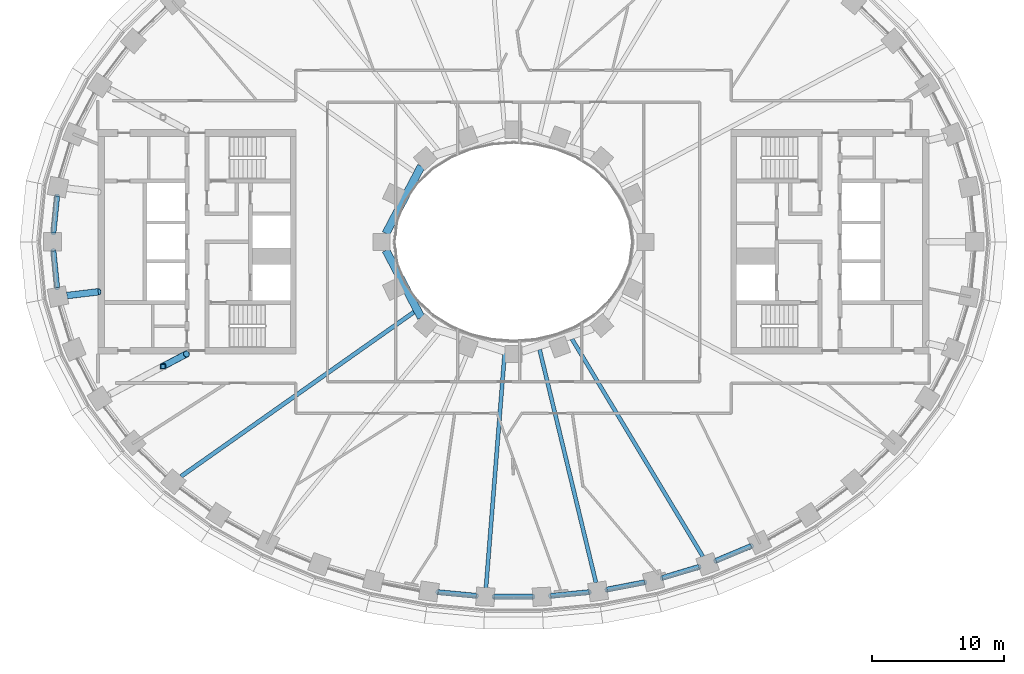
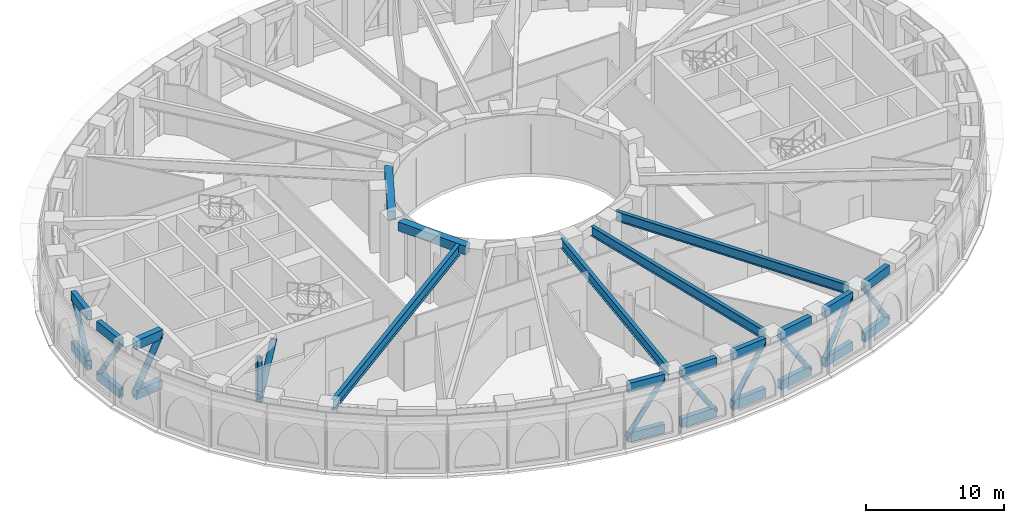
# One storey, part 2 of 25: 24 beams, 11 members.
"""IFC4 building model written with IfcOpenShell, lengths in metres."""

import ifcopenshell
import ifcopenshell.guid

model = None  # the IFC model being written
_history = None  # IfcOwnerHistory: only IFC2X3 demands one
_inside = {}  # id of a spatial element -> (the spatial element, [elements in it])
_under = {}  # id of a project, library or spatial element -> (it, [spatial elements below it])
_declared = {}  # id of a project -> (the project, [libraries it declares])
_typed = {}  # id of a type object -> (the type object, [elements of that type])
_made_of = {}  # id of a material, layer set ... -> (it, [elements and type objects made of it])


def new_model(schema):
    """Start an empty IFC model of exactly this schema.

    Asked for "IFC4X3", IfcOpenShell would pick the latest addendum, in which some entities
    have other attributes; the version numbers below select the first issue.
    IFC2X3 requires an IfcOwnerHistory on every rooted entity: one is made here for all.
    """
    global model, _history
    if schema == "IFC4X3":
        model = ifcopenshell.file(schema_version=(4, 3, 0, 0))
    else:
        model = ifcopenshell.file(schema=schema)
    _inside.clear()
    _under.clear()
    _declared.clear()
    _typed.clear()
    _made_of.clear()
    _history = None
    if model.schema == "IFC2X3":
        org = make("IfcOrganization", Name="unknown")
        user = make(
            "IfcPersonAndOrganization",
            ThePerson=make("IfcPerson", FamilyName="unknown"),
            TheOrganization=org,
        )
        app = make(
            "IfcApplication",
            ApplicationDeveloper=org,
            Version="unknown",
            ApplicationFullName="unknown",
            ApplicationIdentifier="unknown",
        )
        _history = make(
            "IfcOwnerHistory",
            OwningUser=user,
            OwningApplication=app,
            ChangeAction="ADDED",
            CreationDate=0,
        )
    return model


def make(cls, **values):
    """One entity of the class cls with the attributes given. An attribute that is None is left unset."""
    return model.create_entity(
        cls, **{name: value for name, value in values.items() if value is not None}
    )


def rooted(cls, **values):
    """An entity with a GlobalId (a new one), such as an element, a storey or a relation."""
    return make(cls, GlobalId=ifcopenshell.guid.new(), OwnerHistory=_history, **values)


def si_unit(unit_type, name, prefix=None):
    """IfcSIUnit, for example si_unit("LENGTHUNIT", "METRE", prefix="MILLI")."""
    return make("IfcSIUnit", UnitType=unit_type, Prefix=prefix, Name=name)


def assignment(units):
    """IfcUnitAssignment: the units of a project."""
    return None if units is None else make("IfcUnitAssignment", Units=units)


def point(xyz):
    """IfcCartesianPoint."""
    return None if xyz is None else make("IfcCartesianPoint", Coordinates=xyz)


def direction(xyz):
    """IfcDirection."""
    return None if xyz is None else make("IfcDirection", DirectionRatios=xyz)


def frame(location, z_axis=None, x_axis=None):
    """IfcAxis2Placement3D, a coordinate frame: its origin and axes. An axis left out is left unset."""
    return make(
        "IfcAxis2Placement3D",
        Location=point(location),
        Axis=direction(z_axis),
        RefDirection=direction(x_axis),
    )


def frame_2d(location, x_axis=None):
    """IfcAxis2Placement2D, a coordinate frame in the plane: its origin and x axis."""
    return make(
        "IfcAxis2Placement2D", Location=point(location), RefDirection=direction(x_axis)
    )


def origin():
    """The frame at (0, 0, 0) with its axes left unset."""
    return frame((0.0, 0.0, 0.0))


def origin_2d():
    """The frame at (0, 0) in the plane with its x axis left unset."""
    return frame_2d((0.0, 0.0))


def place(relative_to, where):
    """IfcLocalPlacement: puts the frame where relative to a parent placement (None: the world)."""
    return make(
        "IfcLocalPlacement", PlacementRelTo=relative_to, RelativePlacement=where
    )


def context(
    kind, dimensions, precision=None, world=None, true_north=None, identifier=None
):
    """IfcGeometricRepresentationContext, for example the 3D "Model" context."""
    return make(
        "IfcGeometricRepresentationContext",
        ContextIdentifier=identifier,
        ContextType=kind,
        CoordinateSpaceDimension=dimensions,
        Precision=precision,
        WorldCoordinateSystem=world,
        TrueNorth=true_north,
    )


def subcontext(parent, identifier, kind, view, scale=None):
    """IfcGeometricRepresentationSubContext, for example "Body" below "Model"."""
    return make(
        "IfcGeometricRepresentationSubContext",
        ContextIdentifier=identifier,
        ContextType=kind,
        ParentContext=parent,
        TargetScale=scale,
        TargetView=view,
    )


def project(units=None, contexts=None):
    """IfcProject with its units and contexts."""
    return rooted(
        "IfcProject",
        Name="project",
        RepresentationContexts=contexts,
        UnitsInContext=assignment(units),
    )


def spatial(cls, under=None, at=None, **own):
    """A site, building, storey or space (cls), placed at a placement, below another one or the project."""
    s = rooted(cls, ObjectPlacement=at, **own)
    if under is not None:
        _under.setdefault(under.id(), (under, []))[1].append(s)
    return s


def profile(cls, at=None, kind="AREA", **sizes):
    """A parametric profile (cls). Its sizes go by their IFC names, for example OverallWidth=200.0."""
    return make(cls, ProfileType=kind, Position=at, **sizes)


def rectangle(**sizes):
    """IfcRectangleProfileDef."""
    return profile("IfcRectangleProfileDef", **sizes)


def hollow_rectangle(**sizes):
    """IfcRectangleHollowProfileDef."""
    return profile("IfcRectangleHollowProfileDef", **sizes)


def hollow_circle(**sizes):
    """IfcCircleHollowProfileDef."""
    return profile("IfcCircleHollowProfileDef", **sizes)


def i_section(**sizes):
    """IfcIShapeProfileDef."""
    return profile("IfcIShapeProfileDef", **sizes)


def extrude(swept, where, along, depth):
    """IfcExtrudedAreaSolid: the profile swept, set in the frame where, extruded along a direction by depth."""
    return make(
        "IfcExtrudedAreaSolid",
        SweptArea=swept,
        Position=where,
        ExtrudedDirection=direction(along),
        Depth=depth,
    )


def shape(context_of_items, identifier, shape_type, items):
    """IfcShapeRepresentation: the items that make up one representation, for example the "Body"."""
    return make(
        "IfcShapeRepresentation",
        ContextOfItems=context_of_items,
        RepresentationIdentifier=identifier,
        RepresentationType=shape_type,
        Items=items,
    )


def material(Name=None, Category=None):
    """IfcMaterial."""
    return make("IfcMaterial", Name=Name, Category=Category)


def material_profile(
    of_material, cross_section, Name=None, Category=None, Priority=None
):
    """IfcMaterialProfile: a cross section and its material."""
    return make(
        "IfcMaterialProfile",
        Name=Name,
        Material=of_material,
        Profile=cross_section,
        Priority=Priority,
        Category=Category,
    )


def profile_set(profiles, Name=None, composite=None):
    """IfcMaterialProfileSet."""
    return make(
        "IfcMaterialProfileSet",
        Name=Name,
        MaterialProfiles=profiles,
        CompositeProfile=composite,
    )


def made_of(thing, what):
    """Note that an element or type object is made of a material, layer set ...; save() writes the relation."""
    if what is not None:
        _made_of.setdefault(what.id(), (what, []))[1].append(thing)
    return thing


def type_object(cls, material=None, **own):
    """A type object (cls), such as IfcWallType, which elements share."""
    return made_of(rooted(cls, **own), material)


def element(
    cls,
    number,
    at=None,
    inside=None,
    cuts=None,
    type_object=None,
    material=None,
    context=None,
    identifier="Body",
    shape_type=None,
    held_by="IfcProductDefinitionShape",
    body=None,
    shapes=None,
    **own,
):
    """One element of the class cls, such as IfcWall. Its Tag is "e" and its number.

    at: its placement. inside: the storey or other place that contains it. cuts: it is an
    opening in that element (IfcRelVoidsElement). A single representation is given by context,
    identifier, shape_type and body (its items); several are given by shapes. held_by: the class
    of the entity that holds the representations. save() writes the other relations.
    """
    e = rooted(cls, Tag="e%d" % number, ObjectPlacement=at, **own)
    if body is not None:
        shapes = [shape(context, identifier, shape_type, body)]
    if shapes is not None:
        e.Representation = make(held_by, Representations=shapes)
    if inside is not None:
        _inside.setdefault(inside.id(), (inside, []))[1].append(e)
    if cuts is not None:
        rooted(
            "IfcRelVoidsElement", RelatingBuildingElement=cuts, RelatedOpeningElement=e
        )
    if type_object is not None:
        _typed.setdefault(type_object.id(), (type_object, []))[1].append(e)
    return made_of(e, material)


def aggregate(whole, parts):
    """IfcRelAggregates: a whole, such as a stair, and the parts it consists of."""
    return rooted("IfcRelAggregates", RelatingObject=whole, RelatedObjects=parts)


def save(model, path):
    """Write the relations noted so far, then the file.

    IfcRelAggregates (storeys below a building ...), IfcRelContainedInSpatialStructure (elements
    in a storey), IfcRelDefinesByType, IfcRelAssociatesMaterial and IfcRelDeclares: one each for
    every whole, place, type object, material and project.
    """
    for whole, parts in _under.values():
        aggregate(whole, parts)
    for where, things in _inside.values():
        rooted(
            "IfcRelContainedInSpatialStructure",
            RelatedElements=things,
            RelatingStructure=where,
        )
    for kind, things in _typed.values():
        rooted("IfcRelDefinesByType", RelatedObjects=things, RelatingType=kind)
    for what, things in _made_of.values():
        rooted("IfcRelAssociatesMaterial", RelatedObjects=things, RelatingMaterial=what)
    for by, libraries in _declared.values():
        rooted("IfcRelDeclares", RelatingContext=by, RelatedDefinitions=libraries)
    model.write(path)


model = new_model("IFC4")

# Units and contexts
model_context = context("Model", 3, precision=1e-05, world=origin(), true_north=direction((0.0, 1.0)))
body_context = subcontext(model_context, "Body", "Model", "MODEL_VIEW")
ifc_project = project(units=[si_unit("LENGTHUNIT", "METRE"), si_unit("AREAUNIT", "SQUARE_METRE"), si_unit("VOLUMEUNIT", "CUBIC_METRE"), si_unit("PLANEANGLEUNIT", "RADIAN"), si_unit("MASSUNIT", "GRAM", prefix="KILO")], contexts=[model_context])

# Site, building, storey
site_placement = place(None, origin())
site = spatial("IfcSite", under=ifc_project, at=site_placement, CompositionType="ELEMENT")
building_placement = place(site_placement, origin())
building = spatial("IfcBuilding", under=site, at=building_placement, Name="Noorbagh Ring Tower", CompositionType="ELEMENT")
storey_placement = place(building_placement, frame((0.0, 0.0, 82.5)))
storey = spatial("IfcBuildingStorey", under=building, at=storey_placement, Name="L18", CompositionType="ELEMENT", Elevation=82.5)

# Beams
ifc_material_1 = material(Name="Steel S460", Category="steel")
ifc_material_profile_1 = material_profile(ifc_material_1, hollow_rectangle(XDim=0.39990234375, YDim=0.800048828125, WallThickness=0.031982421875, at=origin_2d()), Name="BOX800x400x32")
ifc_profile_set_1 = profile_set([ifc_material_profile_1], Name="Steel S460")
beam_type_1 = type_object("IfcBeamType", Name="STR-BELT-TRUSS-CHORD-BOX800x400x32-S460", PredefinedType="BEAM", material=ifc_profile_set_1)
for number, where, z_axis, x_axis, name in (
    (1, (-34.59521484375, 3.470703125, 0.39990234375), (-0.100193190729, -0.994968001763, 0.0), (0.994968001763, -0.100193190729, 0.0), "Belt truss chord"),
    (2, (-34.59521484375, 3.470703125, 4.800048828125), (-0.100193190729, -0.994968001763, 0.0), (0.994968001763, -0.100193190729, 0.0), "Belt truss chord"),
    (3, (-34.876220703125, -0.68017578125, 0.39990234375), (0.100193190729, -0.994968001763, 0.0), (0.994968001763, 0.100193190729, 0.0), "Belt truss chord"),
    (4, (-34.876220703125, -0.68017578125, 4.800048828125), (0.100193190729, -0.994968001763, 0.0), (0.994968001763, 0.100193190729, 0.0), "Belt truss chord"),
):
    element("IfcBeam", number, at=place(storey_placement, frame(where, z_axis=z_axis, x_axis=x_axis)), inside=storey, type_object=beam_type_1, Name=name, PredefinedType="BEAM", context=body_context, shape_type="SweptSolid", body=[
        extrude(hollow_rectangle(XDim=0.39990234375, YDim=0.800048828125, WallThickness=0.031982421875, at=origin_2d()), origin(), (0.0, 0.0, 1.0), 2.8046875),
    ])
for number, where, z_axis, x_axis, name in (
    (5, (-5.7314453125, -26.555419921875, 0.39990234375), (0.995475184925, -0.095021872206, 0.0), (0.095021872206, 0.995475184925, 0.0), "Belt truss chord"),
    (6, (-5.7314453125, -26.555419921875, 4.800048828125), (0.995475184925, -0.095021872206, 0.0), (0.095021872206, 0.995475184925, 0.0), "Belt truss chord"),
):
    element("IfcBeam", number, at=place(storey_placement, frame(where, z_axis=z_axis, x_axis=x_axis)), inside=storey, type_object=beam_type_1, Name=name, PredefinedType="BEAM", context=body_context, shape_type="SweptSolid", body=[
        extrude(hollow_rectangle(XDim=0.39990234375, YDim=0.800048828125, WallThickness=0.031982421875, at=origin_2d()), origin(), (0.0, 0.0, 1.0), 2.923828125),
    ])
for number, where, z_axis, x_axis, name in (
    (7, (-1.46240234375, -26.89794921875, 0.39990234375), (1.0, 0.0, 0.0), (0.0, 1.0, 0.0), "Belt truss chord"),
    (8, (-1.46240234375, -26.89794921875, 4.800048828125), (1.0, 0.0, 0.0), (0.0, 1.0, 0.0), "Belt truss chord"),
):
    element("IfcBeam", number, at=place(storey_placement, frame(where, z_axis=z_axis, x_axis=x_axis)), inside=storey, type_object=beam_type_1, Name=name, PredefinedType="BEAM", context=body_context, shape_type="SweptSolid", body=[
        extrude(hollow_rectangle(XDim=0.39990234375, YDim=0.800048828125, WallThickness=0.031982421875, at=origin_2d()), origin(), (0.0, 0.0, 1.0), 2.9248046875),
    ])
for number, where, z_axis, x_axis, name in (
    (9, (2.82080078125, -26.833251953125, 0.39990234375), (0.995475184925, 0.095021872206, 0.0), (-0.095021872206, 0.995475184925, 0.0), "Belt truss chord"),
    (10, (2.82080078125, -26.833251953125, 4.800048828125), (0.995475184925, 0.095021872206, 0.0), (-0.095021872206, 0.995475184925, 0.0), "Belt truss chord"),
):
    element("IfcBeam", number, at=place(storey_placement, frame(where, z_axis=z_axis, x_axis=x_axis)), inside=storey, type_object=beam_type_1, Name=name, PredefinedType="BEAM", context=body_context, shape_type="SweptSolid", body=[
        extrude(hollow_rectangle(XDim=0.39990234375, YDim=0.800048828125, WallThickness=0.031982421875, at=origin_2d()), origin(), (0.0, 0.0, 1.0), 2.923828125),
    ])
for number, where, z_axis, x_axis, name in (
    (11, (7.07763671875, -26.36083984375, 0.39990234375), (0.981624088963, 0.190824914433, 0.0), (-0.190824914433, 0.981624088963, 0.0), "Belt truss chord"),
    (12, (7.07763671875, -26.36083984375, 4.800048828125), (0.981624088963, 0.190824914433, 0.0), (-0.190824914433, 0.981624088963, 0.0), "Belt truss chord"),
):
    element("IfcBeam", number, at=place(storey_placement, frame(where, z_axis=z_axis, x_axis=x_axis)), inside=storey, type_object=beam_type_1, Name=name, PredefinedType="BEAM", context=body_context, shape_type="SweptSolid", body=[
        extrude(hollow_rectangle(XDim=0.39990234375, YDim=0.800048828125, WallThickness=0.031982421875, at=origin_2d()), origin(), (0.0, 0.0, 1.0), 2.9208984375),
    ])
for number, where, z_axis, x_axis, name in (
    (13, (11.26513671875, -25.477294921875, 0.39990234375), (0.95759784357, 0.288108260884, 0.0), (-0.288108260884, 0.95759784357, 0.0), "Belt truss chord"),
    (14, (11.26513671875, -25.477294921875, 4.800048828125), (0.95759784357, 0.288108260884, 0.0), (-0.288108260884, 0.95759784357, 0.0), "Belt truss chord"),
):
    element("IfcBeam", number, at=place(storey_placement, frame(where, z_axis=z_axis, x_axis=x_axis)), inside=storey, type_object=beam_type_1, Name=name, PredefinedType="BEAM", context=body_context, shape_type="SweptSolid", body=[
        extrude(hollow_rectangle(XDim=0.39990234375, YDim=0.800048828125, WallThickness=0.031982421875, at=origin_2d()), origin(), (0.0, 0.0, 1.0), 2.915771484375),
    ])
for number, where, z_axis, x_axis, name in (
    (15, (15.337158203125, -24.177001953125, 0.39990234375), (0.921785403555, 0.387700489803, 0.0), (-0.387700489803, 0.921785403555, 0.0), "Belt truss chord"),
    (16, (15.337158203125, -24.177001953125, 4.800048828125), (0.921785403555, 0.387700489803, 0.0), (-0.387700489803, 0.921785403555, 0.0), "Belt truss chord"),
):
    element("IfcBeam", number, at=place(storey_placement, frame(where, z_axis=z_axis, x_axis=x_axis)), inside=storey, type_object=beam_type_1, Name=name, PredefinedType="BEAM", context=body_context, shape_type="SweptSolid", body=[
        extrude(hollow_rectangle(XDim=0.39990234375, YDim=0.800048828125, WallThickness=0.031982421875, at=origin_2d()), origin(), (0.0, 0.0, 1.0), 2.90869140625),
    ])

# Members
ifc_material_2 = material(Name="Steel S355", Category="steel")
ifc_material_profile_2 = material_profile(ifc_material_2, hollow_circle(Radius=0.203125, WallThickness=0.01611328125, at=origin_2d()), Name="CHS406.4x16")
ifc_profile_set_2 = profile_set([ifc_material_profile_2], Name="Steel S355")
member_type_1 = type_object("IfcMemberType", Name="STR-BELT-TRUSS-DIAGONAL-CHS406.4x16", PredefinedType="BRACE", material=ifc_profile_set_2)
for number, where, z_axis, x_axis, name in (
    (17, (-34.876220703125, 0.68017578125, 0.39990234375), (0.053853398761, 0.534790919058, 0.843266555921), (-0.994968001763, 0.100193190729, 0.0), "Belt truss diagonal"),
    (18, (-34.876220703125, -0.68017578125, 0.39990234375), (0.053853398761, -0.534790919058, 0.843266555921), (0.994968001763, 0.100193190729, 0.0), "Belt truss diagonal"),
):
    element("IfcMember", number, at=place(storey_placement, frame(where, z_axis=z_axis, x_axis=x_axis)), inside=storey, type_object=member_type_1, Name=name, PredefinedType="BRACE", context=body_context, shape_type="SweptSolid", body=[
        extrude(hollow_circle(Radius=0.203125, WallThickness=0.01611328125, at=origin_2d()), origin(), (0.0, 0.0, 1.0), 5.218017578125),
    ])
member_1_placement = place(storey_placement, frame((-5.7314453125, -26.555419921875, 0.39990234375), z_axis=(0.550943005218, -0.052589594023, 0.832884229411), x_axis=(0.095021872206, 0.995475184925, 0.0)))
element("IfcMember", 19, at=member_1_placement, inside=storey, type_object=member_type_1, Name="Belt truss diagonal", PredefinedType="BRACE", context=body_context, shape_type="SweptSolid", body=[
    extrude(hollow_circle(Radius=0.203125, WallThickness=0.01611328125, at=origin_2d()), origin(), (0.0, 0.0, 1.0), 5.282958984375),
])
member_2_placement = place(storey_placement, frame((1.46240234375, -26.89794921875, 0.39990234375), z_axis=(-0.553569370666, 0.0, 0.832803069075), x_axis=(0.0, -1.0, 0.0)))
element("IfcMember", 20, at=member_2_placement, inside=storey, type_object=member_type_1, Name="Belt truss diagonal", PredefinedType="BRACE", context=body_context, shape_type="SweptSolid", body=[
    extrude(hollow_circle(Radius=0.203125, WallThickness=0.01611328125, at=origin_2d()), origin(), (0.0, 0.0, 1.0), 5.283447265625),
])
member_3_placement = place(storey_placement, frame((2.82080078125, -26.833251953125, 0.39990234375), z_axis=(0.550943005218, 0.052589594023, 0.832884229411), x_axis=(-0.095021872206, 0.995475184925, 0.0)))
element("IfcMember", 21, at=member_3_placement, inside=storey, type_object=member_type_1, Name="Belt truss diagonal", PredefinedType="BRACE", context=body_context, shape_type="SweptSolid", body=[
    extrude(hollow_circle(Radius=0.203125, WallThickness=0.01611328125, at=origin_2d()), origin(), (0.0, 0.0, 1.0), 5.282958984375),
])
member_4_placement = place(storey_placement, frame((9.94482421875, -25.803466796875, 0.39990234375), z_axis=(-0.542888543508, -0.105535979635, 0.833147157668), x_axis=(0.190824914433, -0.981624088963, 0.0)))
element("IfcMember", 22, at=member_4_placement, inside=storey, type_object=member_type_1, Name="Belt truss diagonal", PredefinedType="BRACE", context=body_context, shape_type="SweptSolid", body=[
    extrude(hollow_circle(Radius=0.203125, WallThickness=0.01611328125, at=origin_2d()), origin(), (0.0, 0.0, 1.0), 5.28125),
])
member_5_placement = place(storey_placement, frame((11.26513671875, -25.477294921875, 0.39990234375), z_axis=(0.528972872137, 0.159149746701, 0.833582064747), x_axis=(-0.288108260884, 0.95759784357, 0.0)))
element("IfcMember", 23, at=member_5_placement, inside=storey, type_object=member_type_1, Name="Belt truss diagonal", PredefinedType="BRACE", context=body_context, shape_type="SweptSolid", body=[
    extrude(hollow_circle(Radius=0.203125, WallThickness=0.01611328125, at=origin_2d()), origin(), (0.0, 0.0, 1.0), 5.278564453125),
])
member_6_placement = place(storey_placement, frame((18.018310546875, -23.04931640625, 0.39990234375), z_axis=(-0.508312623929, -0.213794938074, 0.834212203704), x_axis=(0.387700489803, -0.921785403555, 0.0)))
element("IfcMember", 24, at=member_6_placement, inside=storey, type_object=member_type_1, Name="Belt truss diagonal", PredefinedType="BRACE", context=body_context, shape_type="SweptSolid", body=[
    extrude(hollow_circle(Radius=0.203125, WallThickness=0.01611328125, at=origin_2d()), origin(), (0.0, 0.0, 1.0), 5.274658203125),
])

# Beams
ifc_material_3 = material(Name="Steel S460", Category="steel")
ifc_material_profile_3 = material_profile(ifc_material_3, hollow_rectangle(XDim=0.5, YDim=0.800048828125, WallThickness=0.0400390625, at=origin_2d()), Name="BOX800x500x40")
ifc_profile_set_3 = profile_set([ifc_material_profile_3], Name="Steel S460")
beam_type_2 = type_object("IfcBeamType", Name="STR-OUTRIGGER-TRUSS-CHORD-BOX800x500x40-S460", PredefinedType="BEAM", material=ifc_profile_set_3)
for number, where, z_axis, x_axis, name in (
    (25, (-33.849365234375, -4.0693359375, 0.39990234375), (0.992846305677, 0.119399385689, 0.0), (-0.119399385689, 0.992846305677, 0.0), "Outrigger truss chord"),
    (26, (-33.849365234375, -4.0693359375, 4.800048828125), (0.992846305677, 0.119399385689, 0.0), (-0.119399385689, 0.992846305677, 0.0), "Outrigger truss chord"),
):
    element("IfcBeam", number, at=place(storey_placement, frame(where, z_axis=z_axis, x_axis=x_axis)), inside=storey, type_object=beam_type_2, Name=name, PredefinedType="BEAM", context=body_context, shape_type="SweptSolid", body=[
        extrude(hollow_rectangle(XDim=0.5, YDim=0.800048828125, WallThickness=0.0400390625, at=origin_2d()), origin(), (0.0, 0.0, 1.0), 2.38623046875),
    ])

# Members
ifc_material_4 = material(Name="Steel S355", Category="steel")
ifc_material_profile_4 = material_profile(ifc_material_4, hollow_circle(Radius=0.25390625, WallThickness=0.02490234375, at=origin_2d()), Name="CHS508x25")
ifc_profile_set_4 = profile_set([ifc_material_profile_4], Name="Steel S355")
member_type_2 = type_object("IfcMemberType", Name="STR-OUTRIGGER-TRUSS-DIAGONAL-CHS508x25", PredefinedType="BRACE", material=ifc_profile_set_4)
member_7_placement = place(storey_placement, frame((-33.849365234375, -4.0693359375, 0.39990234375), z_axis=(0.47330502112, 0.056919513566, 0.879057748932), x_axis=(-0.119399385689, 0.992846305677, 0.0)))
element("IfcMember", 27, at=member_7_placement, inside=storey, type_object=member_type_2, Name="Outrigger truss diagonal", PredefinedType="BRACE", context=body_context, shape_type="SweptSolid", body=[
    extrude(hollow_circle(Radius=0.25390625, WallThickness=0.02490234375, at=origin_2d()), origin(), (0.0, 0.0, 1.0), 5.005615234375),
])
member_8_placement = place(storey_placement, frame((-26.577392578125, -9.43798828125, 0.39990234375), z_axis=(0.369190107009, 0.195157026387, 0.908632158763), x_axis=(-0.467332938161, 0.884081401744, 0.0)))
element("IfcMember", 28, at=member_8_placement, inside=storey, type_object=member_type_2, Name="Outrigger truss diagonal", PredefinedType="BRACE", context=body_context, shape_type="SweptSolid", body=[
    extrude(hollow_circle(Radius=0.25390625, WallThickness=0.02490234375, at=origin_2d()), origin(), (0.0, 0.0, 1.0), 4.842529296875),
])
ifc_material_5 = material(Name="Steel S355", Category="steel")
ifc_material_profile_5 = material_profile(ifc_material_5, hollow_rectangle(XDim=0.39990234375, YDim=0.39990234375, WallThickness=0.02490234375, InnerFilletRadius=0.02490234375, OuterFilletRadius=0.0625, at=origin_2d()), Name="SHS400x400x25")
ifc_profile_set_5 = profile_set([ifc_material_profile_5], Name="Steel S355")
member_type_3 = type_object("IfcMemberType", Name="STR-OUTRIGGER-TRUSS-POST-SHS400x400x25", PredefinedType="POST", material=ifc_profile_set_5)
member_9_placement = place(storey_placement, frame((-26.577392578125, -9.43798828125, 0.800048828125), z_axis=(0.0, 0.0, 1.0), x_axis=(1.0, 0.0, 0.0)))
element("IfcMember", 29, at=member_9_placement, inside=storey, type_object=member_type_3, Name="Outrigger truss post", PredefinedType="POST", context=body_context, shape_type="SweptSolid", body=[
    extrude(hollow_rectangle(XDim=0.39990234375, YDim=0.39990234375, WallThickness=0.02490234375, InnerFilletRadius=0.02490234375, OuterFilletRadius=0.0625, at=origin_2d()), origin(), (0.0, 0.0, 1.0), 3.599853515625),
])

# Beams
ifc_material_6 = material(Name="Steel S355", Category="steel")
ifc_material_profile_6 = material_profile(ifc_material_6, i_section(OverallWidth=0.300048828125, OverallDepth=0.85009765625, WebThickness=0.013916015625, FlangeThickness=0.028076171875, at=origin_2d()), Name="PG850x300x14x28")
ifc_profile_set_6 = profile_set([ifc_material_profile_6], Name="Steel S355")
beam_type_3 = type_object("IfcBeamType", Name="STR-RAD-PG850x300x14x28", PredefinedType="BEAM", material=ifc_profile_set_6)
beam_1_placement = place(storey_placement, frame((-2.089111328125, -26.2197265625, 4.77490234375), z_axis=(0.079423302335, 0.996840979819, 0.0), x_axis=(-0.996840979819, 0.079423302335, 0.0)))
element("IfcBeam", 30, at=beam_1_placement, inside=storey, type_object=beam_type_3, Name="L18/bm/RD35", PredefinedType="BEAM", context=body_context, shape_type="SweptSolid", body=[
    extrude(i_section(OverallWidth=0.300048828125, OverallDepth=0.85009765625, WebThickness=0.013916015625, FlangeThickness=0.028076171875, at=origin_2d()), origin(), (0.0, 0.0, 1.0), 17.874755859375),
])
beam_2_placement = place(storey_placement, frame((6.24853515625, -25.826904296875, 4.77490234375), z_axis=(-0.23515684107, 0.97195743739, 0.0), x_axis=(-0.97195743739, -0.23515684107, 0.0)))
element("IfcBeam", 31, at=beam_2_placement, inside=storey, type_object=beam_type_3, Name="L18/bm/RD37", PredefinedType="BEAM", context=body_context, shape_type="SweptSolid", body=[
    extrude(i_section(OverallWidth=0.300048828125, OverallDepth=0.85009765625, WebThickness=0.013916015625, FlangeThickness=0.028076171875, at=origin_2d()), origin(), (0.0, 0.0, 1.0), 18.179931640625),
])
beam_3_placement = place(storey_placement, frame((14.351806640625, -23.846435546875, 4.77490234375), z_axis=(-0.51565770939, 0.856794681792, 0.0), x_axis=(-0.856794681792, -0.51565770939, 0.0)))
element("IfcBeam", 32, at=beam_3_placement, inside=storey, type_object=beam_type_3, Name="L18/bm/RD39", PredefinedType="BEAM", context=body_context, shape_type="SweptSolid", body=[
    extrude(i_section(OverallWidth=0.300048828125, OverallDepth=0.85009765625, WebThickness=0.013916015625, FlangeThickness=0.028076171875, at=origin_2d()), origin(), (0.0, 0.0, 1.0), 19.2421875),
])
ifc_material_7 = material(Name="Steel S355", Category="steel")
ifc_material_profile_7 = material_profile(ifc_material_7, i_section(OverallWidth=0.320068359375, OverallDepth=0.949951171875, WebThickness=0.01611328125, FlangeThickness=0.030029296875, at=origin_2d()), Name="PG950x320x16x30")
ifc_profile_set_7 = profile_set([ifc_material_profile_7], Name="Steel S355")
beam_type_4 = type_object("IfcBeamType", Name="STR-RAD-PG950x320x16x30", PredefinedType="BEAM", material=ifc_profile_set_7)
beam_4_placement = place(storey_placement, frame((-25.2080078125, -17.775146484375, 4.72509765625), z_axis=(0.817254043875, 0.576277561398, 0.0), x_axis=(-0.576277561398, 0.817254043875, 0.0)))
element("IfcBeam", 33, at=beam_4_placement, inside=storey, type_object=beam_type_4, Name="L18/bm/RD29", PredefinedType="BEAM", context=body_context, shape_type="SweptSolid", body=[
    extrude(i_section(OverallWidth=0.320068359375, OverallDepth=0.949951171875, WebThickness=0.01611328125, FlangeThickness=0.030029296875, at=origin_2d()), origin(), (0.0, 0.0, 1.0), 21.625244140625),
])
ifc_material_8 = material(Name="Concrete C40/50", Category="concrete")
ifc_material_profile_8 = material_profile(ifc_material_8, rectangle(XDim=0.60009765625, YDim=0.800048828125, at=origin_2d()), Name="RC600x800")
ifc_profile_set_8 = profile_set([ifc_material_profile_8], Name="Concrete C40/50")
beam_type_5 = type_object("IfcBeamType", Name="STR-RB-RC600x800-C40-50", PredefinedType="BEAM", material=ifc_profile_set_8)
for number, where, z_axis, x_axis, name in (
    (34, (-6.99658203125, 5.735107421875, 4.800048828125), (-0.464932685401, -0.885346032942, 0.0), (0.885346032942, -0.464932685401, 0.0), "L18/bm/RG07"),
    (35, (-9.67626953125, -0.63232421875, 4.800048828125), (0.464932685401, -0.885346032942, 0.0), (0.885346032942, 0.464932685401, 0.0), "L18/bm/RG09"),
):
    element("IfcBeam", number, at=place(storey_placement, frame(where, z_axis=z_axis, x_axis=x_axis)), inside=storey, type_object=beam_type_5, Name=name, PredefinedType="BEAM", context=body_context, shape_type="SweptSolid", body=[
        extrude(rectangle(XDim=0.60009765625, YDim=0.800048828125, at=origin_2d()), origin(), (0.0, 0.0, 1.0), 5.763671875),
    ])

save(model, "model.ifc")
